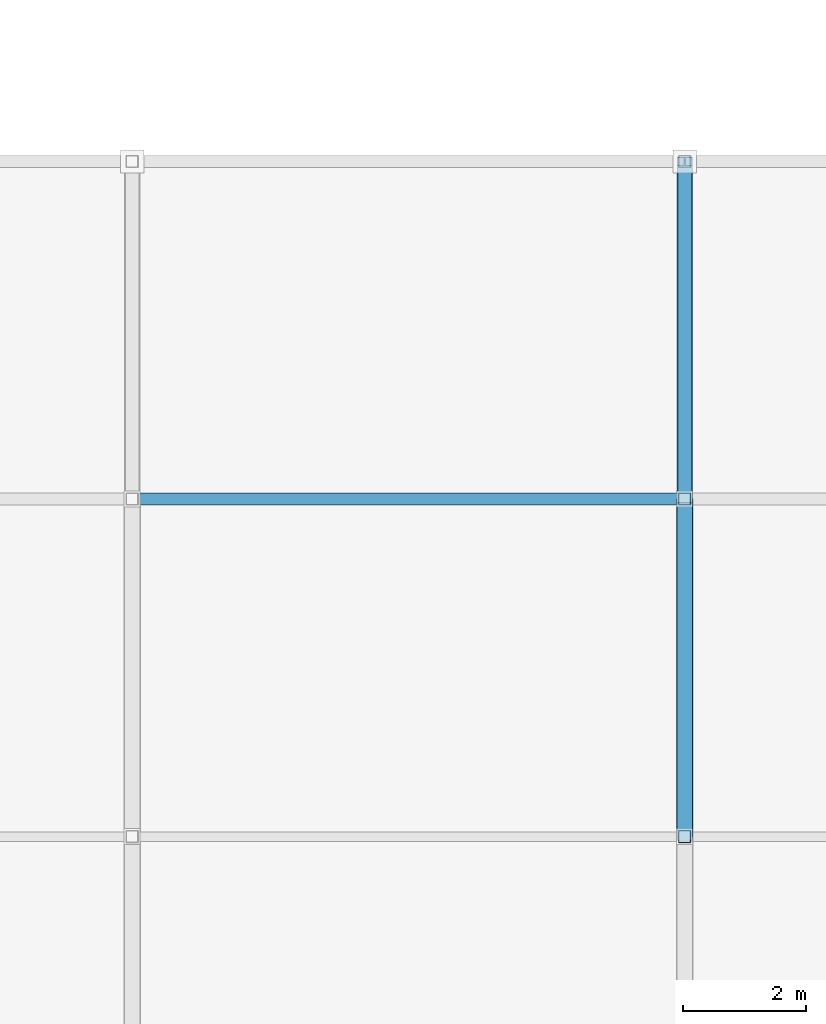
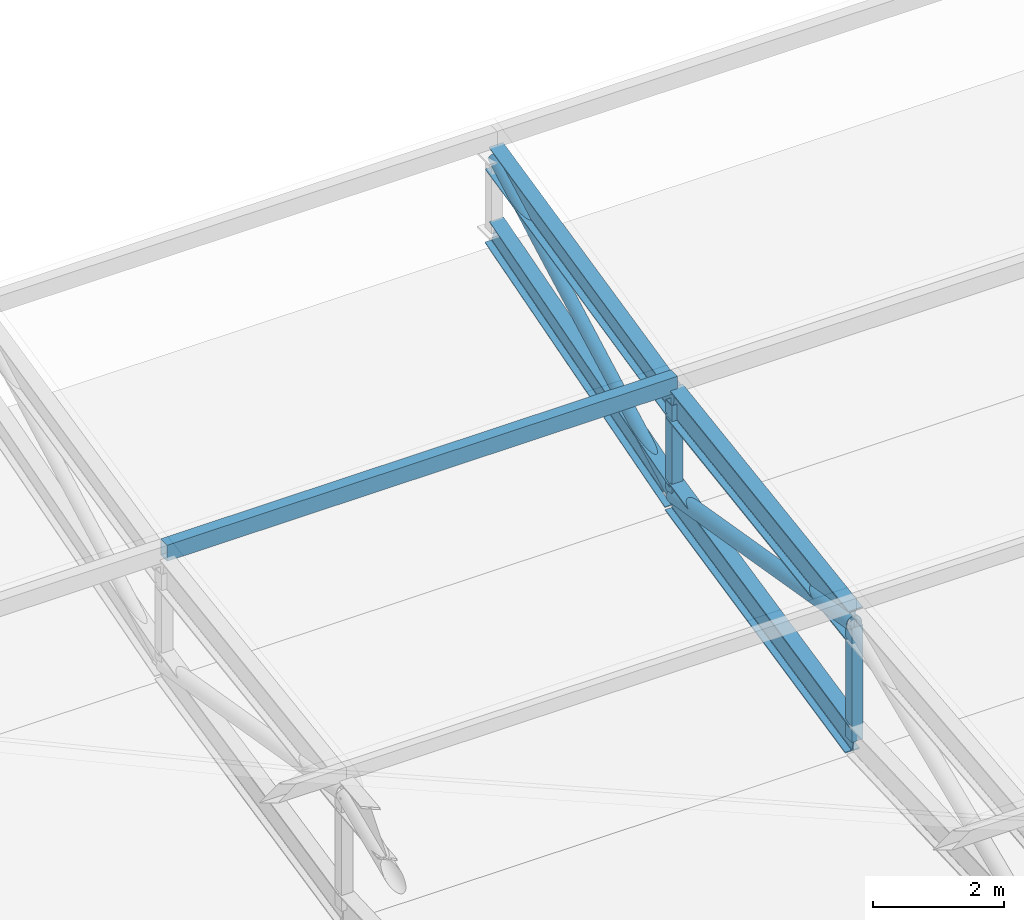
# One storey, part 42 of 114: 5 members, 4 beams.
"""IFC4 building model written with IfcOpenShell, lengths in metres."""

import ifcopenshell
import ifcopenshell.guid

model = None  # the IFC model being written
_history = None  # IfcOwnerHistory: only IFC2X3 demands one
_inside = {}  # id of a spatial element -> (the spatial element, [elements in it])
_under = {}  # id of a project, library or spatial element -> (it, [spatial elements below it])
_declared = {}  # id of a project -> (the project, [libraries it declares])
_typed = {}  # id of a type object -> (the type object, [elements of that type])
_made_of = {}  # id of a material, layer set ... -> (it, [elements and type objects made of it])


def new_model(schema):
    """Start an empty IFC model of exactly this schema.

    Asked for "IFC4X3", IfcOpenShell would pick the latest addendum, in which some entities
    have other attributes; the version numbers below select the first issue.
    IFC2X3 requires an IfcOwnerHistory on every rooted entity: one is made here for all.
    """
    global model, _history
    if schema == "IFC4X3":
        model = ifcopenshell.file(schema_version=(4, 3, 0, 0))
    else:
        model = ifcopenshell.file(schema=schema)
    _inside.clear()
    _under.clear()
    _declared.clear()
    _typed.clear()
    _made_of.clear()
    _history = None
    if model.schema == "IFC2X3":
        org = make("IfcOrganization", Name="unknown")
        user = make(
            "IfcPersonAndOrganization",
            ThePerson=make("IfcPerson", FamilyName="unknown"),
            TheOrganization=org,
        )
        app = make(
            "IfcApplication",
            ApplicationDeveloper=org,
            Version="unknown",
            ApplicationFullName="unknown",
            ApplicationIdentifier="unknown",
        )
        _history = make(
            "IfcOwnerHistory",
            OwningUser=user,
            OwningApplication=app,
            ChangeAction="ADDED",
            CreationDate=0,
        )
    return model


def make(cls, **values):
    """One entity of the class cls with the attributes given. An attribute that is None is left unset."""
    return model.create_entity(
        cls, **{name: value for name, value in values.items() if value is not None}
    )


def rooted(cls, **values):
    """An entity with a GlobalId (a new one), such as an element, a storey or a relation."""
    return make(cls, GlobalId=ifcopenshell.guid.new(), OwnerHistory=_history, **values)


def si_unit(unit_type, name, prefix=None):
    """IfcSIUnit, for example si_unit("LENGTHUNIT", "METRE", prefix="MILLI")."""
    return make("IfcSIUnit", UnitType=unit_type, Prefix=prefix, Name=name)


def assignment(units):
    """IfcUnitAssignment: the units of a project."""
    return None if units is None else make("IfcUnitAssignment", Units=units)


def point(xyz):
    """IfcCartesianPoint."""
    return None if xyz is None else make("IfcCartesianPoint", Coordinates=xyz)


def direction(xyz):
    """IfcDirection."""
    return None if xyz is None else make("IfcDirection", DirectionRatios=xyz)


def frame(location, z_axis=None, x_axis=None):
    """IfcAxis2Placement3D, a coordinate frame: its origin and axes. An axis left out is left unset."""
    return make(
        "IfcAxis2Placement3D",
        Location=point(location),
        Axis=direction(z_axis),
        RefDirection=direction(x_axis),
    )


def frame_2d(location, x_axis=None):
    """IfcAxis2Placement2D, a coordinate frame in the plane: its origin and x axis."""
    return make(
        "IfcAxis2Placement2D", Location=point(location), RefDirection=direction(x_axis)
    )


def origin():
    """The frame at (0, 0, 0) with its axes left unset."""
    return frame((0.0, 0.0, 0.0))


def origin_2d():
    """The frame at (0, 0) in the plane with its x axis left unset."""
    return frame_2d((0.0, 0.0))


def place(relative_to, where):
    """IfcLocalPlacement: puts the frame where relative to a parent placement (None: the world)."""
    return make(
        "IfcLocalPlacement", PlacementRelTo=relative_to, RelativePlacement=where
    )


def context(
    kind, dimensions, precision=None, world=None, true_north=None, identifier=None
):
    """IfcGeometricRepresentationContext, for example the 3D "Model" context."""
    return make(
        "IfcGeometricRepresentationContext",
        ContextIdentifier=identifier,
        ContextType=kind,
        CoordinateSpaceDimension=dimensions,
        Precision=precision,
        WorldCoordinateSystem=world,
        TrueNorth=true_north,
    )


def subcontext(parent, identifier, kind, view, scale=None):
    """IfcGeometricRepresentationSubContext, for example "Body" below "Model"."""
    return make(
        "IfcGeometricRepresentationSubContext",
        ContextIdentifier=identifier,
        ContextType=kind,
        ParentContext=parent,
        TargetScale=scale,
        TargetView=view,
    )


def project(units=None, contexts=None):
    """IfcProject with its units and contexts."""
    return rooted(
        "IfcProject",
        Name="project",
        RepresentationContexts=contexts,
        UnitsInContext=assignment(units),
    )


def spatial(cls, under=None, at=None, **own):
    """A site, building, storey or space (cls), placed at a placement, below another one or the project."""
    s = rooted(cls, ObjectPlacement=at, **own)
    if under is not None:
        _under.setdefault(under.id(), (under, []))[1].append(s)
    return s


def profile(cls, at=None, kind="AREA", **sizes):
    """A parametric profile (cls). Its sizes go by their IFC names, for example OverallWidth=200.0."""
    return make(cls, ProfileType=kind, Position=at, **sizes)


def hollow_rectangle(**sizes):
    """IfcRectangleHollowProfileDef."""
    return profile("IfcRectangleHollowProfileDef", **sizes)


def hollow_circle(**sizes):
    """IfcCircleHollowProfileDef."""
    return profile("IfcCircleHollowProfileDef", **sizes)


def i_section(**sizes):
    """IfcIShapeProfileDef."""
    return profile("IfcIShapeProfileDef", **sizes)


def extrude(swept, where, along, depth):
    """IfcExtrudedAreaSolid: the profile swept, set in the frame where, extruded along a direction by depth."""
    return make(
        "IfcExtrudedAreaSolid",
        SweptArea=swept,
        Position=where,
        ExtrudedDirection=direction(along),
        Depth=depth,
    )


def shape(context_of_items, identifier, shape_type, items):
    """IfcShapeRepresentation: the items that make up one representation, for example the "Body"."""
    return make(
        "IfcShapeRepresentation",
        ContextOfItems=context_of_items,
        RepresentationIdentifier=identifier,
        RepresentationType=shape_type,
        Items=items,
    )


def material(Name=None, Category=None):
    """IfcMaterial."""
    return make("IfcMaterial", Name=Name, Category=Category)


def material_profile(
    of_material, cross_section, Name=None, Category=None, Priority=None
):
    """IfcMaterialProfile: a cross section and its material."""
    return make(
        "IfcMaterialProfile",
        Name=Name,
        Material=of_material,
        Profile=cross_section,
        Priority=Priority,
        Category=Category,
    )


def profile_set(profiles, Name=None, composite=None):
    """IfcMaterialProfileSet."""
    return make(
        "IfcMaterialProfileSet",
        Name=Name,
        MaterialProfiles=profiles,
        CompositeProfile=composite,
    )


def made_of(thing, what):
    """Note that an element or type object is made of a material, layer set ...; save() writes the relation."""
    if what is not None:
        _made_of.setdefault(what.id(), (what, []))[1].append(thing)
    return thing


def type_object(cls, material=None, **own):
    """A type object (cls), such as IfcWallType, which elements share."""
    return made_of(rooted(cls, **own), material)


def element(
    cls,
    number,
    at=None,
    inside=None,
    cuts=None,
    type_object=None,
    material=None,
    context=None,
    identifier="Body",
    shape_type=None,
    held_by="IfcProductDefinitionShape",
    body=None,
    shapes=None,
    **own,
):
    """One element of the class cls, such as IfcWall. Its Tag is "e" and its number.

    at: its placement. inside: the storey or other place that contains it. cuts: it is an
    opening in that element (IfcRelVoidsElement). A single representation is given by context,
    identifier, shape_type and body (its items); several are given by shapes. held_by: the class
    of the entity that holds the representations. save() writes the other relations.
    """
    e = rooted(cls, Tag="e%d" % number, ObjectPlacement=at, **own)
    if body is not None:
        shapes = [shape(context, identifier, shape_type, body)]
    if shapes is not None:
        e.Representation = make(held_by, Representations=shapes)
    if inside is not None:
        _inside.setdefault(inside.id(), (inside, []))[1].append(e)
    if cuts is not None:
        rooted(
            "IfcRelVoidsElement", RelatingBuildingElement=cuts, RelatedOpeningElement=e
        )
    if type_object is not None:
        _typed.setdefault(type_object.id(), (type_object, []))[1].append(e)
    return made_of(e, material)


def aggregate(whole, parts):
    """IfcRelAggregates: a whole, such as a stair, and the parts it consists of."""
    return rooted("IfcRelAggregates", RelatingObject=whole, RelatedObjects=parts)


def save(model, path):
    """Write the relations noted so far, then the file.

    IfcRelAggregates (storeys below a building ...), IfcRelContainedInSpatialStructure (elements
    in a storey), IfcRelDefinesByType, IfcRelAssociatesMaterial and IfcRelDeclares: one each for
    every whole, place, type object, material and project.
    """
    for whole, parts in _under.values():
        aggregate(whole, parts)
    for where, things in _inside.values():
        rooted(
            "IfcRelContainedInSpatialStructure",
            RelatedElements=things,
            RelatingStructure=where,
        )
    for kind, things in _typed.values():
        rooted("IfcRelDefinesByType", RelatedObjects=things, RelatingType=kind)
    for what, things in _made_of.values():
        rooted("IfcRelAssociatesMaterial", RelatedObjects=things, RelatingMaterial=what)
    for by, libraries in _declared.values():
        rooted("IfcRelDeclares", RelatingContext=by, RelatedDefinitions=libraries)
    model.write(path)


model = new_model("IFC4")

# Units and contexts
model_context = context("Model", 3, precision=1e-05, world=origin(), true_north=direction((0.0, 1.0)))
body_context = subcontext(model_context, "Body", "Model", "MODEL_VIEW")
ifc_project = project(units=[si_unit("LENGTHUNIT", "METRE"), si_unit("AREAUNIT", "SQUARE_METRE"), si_unit("VOLUMEUNIT", "CUBIC_METRE"), si_unit("PLANEANGLEUNIT", "RADIAN"), si_unit("MASSUNIT", "GRAM", prefix="KILO"), si_unit("THERMODYNAMICTEMPERATUREUNIT", "KELVIN"), si_unit("POWERUNIT", "WATT")], contexts=[model_context])

# Site, building, storey
site_placement = place(None, origin())
site = spatial("IfcSite", under=ifc_project, at=site_placement, CompositionType="ELEMENT")
building_placement = place(site_placement, origin())
building = spatial("IfcBuilding", under=site, at=building_placement, Name="Sindhuravela Promenade Stadium", CompositionType="ELEMENT")
storey_placement = place(building_placement, frame((0.0, 0.0, 24.0)))
storey = spatial("IfcBuildingStorey", under=building, at=storey_placement, Name="L05", CompositionType="ELEMENT", Elevation=24.0)

# Beams
ifc_material = material(Name="Steel E350 (IS 2062 E350BR)", Category="steel")
ifc_material_profile_1 = material_profile(ifc_material, i_section(OverallWidth=0.25, OverallDepth=0.5, WebThickness=0.010009765625, FlangeThickness=0.0146484375, FilletRadius=0.014892578125, at=origin_2d()), Name="ISWB 500")
ifc_profile_set_1 = profile_set([ifc_material_profile_1], Name="Steel E350 (IS 2062 E350BR)")
beam_type_1 = type_object("IfcBeamType", Name="ST-BM-WB500", PredefinedType="USERDEFINED", material=ifc_profile_set_1)
beam_1_placement = place(storey_placement, frame((135.0, 38.0, 3.169189453125), z_axis=(0.0, 0.9758669805330386, 0.2183658313595103), x_axis=(-1.0, 0.0, 0.0)))
element("IfcBeam", 1, at=beam_1_placement, inside=storey, type_object=beam_type_1, Name="Roof truss RT-S07 top chord 5", ObjectType="ROOF TRUSS", PredefinedType="USERDEFINED", context=body_context, shape_type="SweptSolid", body=[
    extrude(i_section(OverallWidth=0.25, OverallDepth=0.5, WebThickness=0.010009765625, FlangeThickness=0.0146484375, FilletRadius=0.014892578125, at=origin_2d()), origin(), (0.0, 0.0, 1.0), 5.635986328125),
])
beam_2_placement = place(storey_placement, frame((135.0, 38.0, 1.419189453125), z_axis=(0.0, 0.9599274278129861, 0.28024869907342015), x_axis=(-1.0, 0.0, 0.0)))
element("IfcBeam", 2, at=beam_2_placement, inside=storey, type_object=beam_type_1, Name="Roof truss RT-S07 bottom chord 5", ObjectType="ROOF TRUSS", PredefinedType="USERDEFINED", context=body_context, shape_type="SweptSolid", body=[
    extrude(i_section(OverallWidth=0.25, OverallDepth=0.5, WebThickness=0.010009765625, FlangeThickness=0.0146484375, FilletRadius=0.014892578125, at=origin_2d()), origin(), (0.0, 0.0, 1.0), 5.7294921875),
])
ifc_material_profile_2 = material_profile(ifc_material, i_section(OverallWidth=0.25, OverallDepth=0.60009765625, WebThickness=0.01171875, FlangeThickness=0.023681640625, FilletRadius=0.01708984375, at=origin_2d()), Name="ISWB 600")
ifc_profile_set_2 = profile_set([ifc_material_profile_2], Name="Steel E350 (IS 2062 E350BR)")
beam_type_2 = type_object("IfcBeamType", Name="ST-BM-WB600", PredefinedType="USERDEFINED", material=ifc_profile_set_2)
beam_3_placement = place(storey_placement, frame((135.0, 32.5, 2.3525390625), z_axis=(0.0, 0.9891555530237203, 0.14687168523012892), x_axis=(-1.0, 0.0, 0.0)))
element("IfcBeam", 3, at=beam_3_placement, inside=storey, type_object=beam_type_2, Name="Roof truss RT-S07 top chord 4", ObjectType="ROOF TRUSS", PredefinedType="USERDEFINED", context=body_context, shape_type="SweptSolid", body=[
    extrude(i_section(OverallWidth=0.25, OverallDepth=0.60009765625, WebThickness=0.01171875, FlangeThickness=0.023681640625, FilletRadius=0.01708984375, at=origin_2d()), origin(), (0.0, 0.0, 1.0), 5.560302734375),
])
beam_4_placement = place(storey_placement, frame((135.0, 32.5, 0.2275390625), z_axis=(0.0, 0.9773237385626684, 0.21175058451368894), x_axis=(-1.0, 0.0, 0.0)))
element("IfcBeam", 4, at=beam_4_placement, inside=storey, type_object=beam_type_2, Name="Roof truss RT-S07 bottom chord 4", ObjectType="ROOF TRUSS", PredefinedType="USERDEFINED", context=body_context, shape_type="SweptSolid", body=[
    extrude(i_section(OverallWidth=0.25, OverallDepth=0.60009765625, WebThickness=0.01171875, FlangeThickness=0.023681640625, FilletRadius=0.01708984375, at=origin_2d()), origin(), (0.0, 0.0, 1.0), 5.627685546875),
])

# Members
ifc_material_profile_3 = material_profile(ifc_material, hollow_circle(Radius=0.109619140625, WallThickness=0.010009765625, at=origin_2d()), Name="CHS 219.1x10")
ifc_profile_set_3 = profile_set([ifc_material_profile_3], Name="Steel E350 (IS 2062 E350BR)")
member_type_1 = type_object("IfcMemberType", Name="ST-MB-CHS219", PredefinedType="BRACE", material=ifc_profile_set_3)
member_1_placement = place(storey_placement, frame((135.0, 38.0, 1.419189453125), z_axis=(0.0, 0.8791884339384995, 0.47647423605979855), x_axis=(-1.0, 0.0, 0.0)))
element("IfcMember", 5, at=member_1_placement, inside=storey, type_object=member_type_1, Name="Roof truss RT-S07 diagonal web 5", PredefinedType="BRACE", context=body_context, shape_type="SweptSolid", body=[
    extrude(hollow_circle(Radius=0.109619140625, WallThickness=0.010009765625, at=origin_2d()), origin(), (0.0, 0.0, 1.0), 6.255859375),
])
ifc_material_profile_4 = material_profile(ifc_material, hollow_circle(Radius=0.136474609375, WallThickness=0.010009765625, at=origin_2d()), Name="CHS 273.0x10")
ifc_profile_set_4 = profile_set([ifc_material_profile_4], Name="Steel E350 (IS 2062 E350BR)")
member_type_2 = type_object("IfcMemberType", Name="ST-MB-CHS273", PredefinedType="BRACE", material=ifc_profile_set_4)
member_2_placement = place(storey_placement, frame((135.0, 32.5, 2.3525390625), z_axis=(0.0, 0.9859046851385784, -0.1673079550463772), x_axis=(-1.0, 0.0, 0.0)))
element("IfcMember", 6, at=member_2_placement, inside=storey, type_object=member_type_2, Name="Roof truss RT-S07 diagonal web 4", PredefinedType="BRACE", context=body_context, shape_type="SweptSolid", body=[
    extrude(hollow_circle(Radius=0.136474609375, WallThickness=0.010009765625, at=origin_2d()), origin(), (0.0, 0.0, 1.0), 5.57861328125),
])
ifc_material_profile_5 = material_profile(ifc_material, hollow_rectangle(XDim=0.199951171875, YDim=0.300048828125, WallThickness=0.010009765625, at=origin_2d()), Name="RHS 300x200x10")
ifc_profile_set_5 = profile_set([ifc_material_profile_5], Name="Steel E350 (IS 2062 E350BR)")
member_type_3 = type_object("IfcMemberType", Name="ST-MB-RHS300", PredefinedType="PURLIN", material=ifc_profile_set_5)
member_3_placement = place(storey_placement, frame((126.0, 38.0, 3.5361328125), z_axis=(1.0, 0.0, 0.0), x_axis=(0.0, 1.0, 0.0)))
element("IfcMember", 7, at=member_3_placement, inside=storey, type_object=member_type_3, Name="Roof purlin PR02 S bay 6.5", PredefinedType="PURLIN", context=body_context, shape_type="SweptSolid", body=[
    extrude(hollow_rectangle(XDim=0.199951171875, YDim=0.300048828125, WallThickness=0.010009765625, at=origin_2d()), origin(), (0.0, 0.0, 1.0), 9.0),
])
ifc_material_profile_6 = material_profile(ifc_material, hollow_rectangle(XDim=0.199951171875, YDim=0.199951171875, WallThickness=0.010009765625, at=origin_2d()), Name="SHS 200x200x10")
ifc_profile_set_6 = profile_set([ifc_material_profile_6], Name="Steel E350 (IS 2062 E350BR)")
member_type_4 = type_object("IfcMemberType", Name="ST-MB-SHS200", PredefinedType="POST", material=ifc_profile_set_6)
member_4_placement = place(storey_placement, frame((135.0, 32.5, 0.2275390625), z_axis=(0.0, 0.0, 1.0), x_axis=(1.0, 0.0, 0.0)))
element("IfcMember", 8, at=member_4_placement, inside=storey, type_object=member_type_4, Name="Roof truss RT-S07 vertical post 4", PredefinedType="POST", context=body_context, shape_type="SweptSolid", body=[
    extrude(hollow_rectangle(XDim=0.199951171875, YDim=0.199951171875, WallThickness=0.010009765625, at=origin_2d()), origin(), (0.0, 0.0, 1.0), 2.125),
])
member_5_placement = place(storey_placement, frame((135.0, 38.0, 1.419189453125), z_axis=(0.0, 0.0, 1.0), x_axis=(1.0, 0.0, 0.0)))
element("IfcMember", 9, at=member_5_placement, inside=storey, type_object=member_type_4, Name="Roof truss RT-S07 vertical post 5", PredefinedType="POST", context=body_context, shape_type="SweptSolid", body=[
    extrude(hollow_rectangle(XDim=0.199951171875, YDim=0.199951171875, WallThickness=0.010009765625, at=origin_2d()), origin(), (0.0, 0.0, 1.0), 1.75),
])

save(model, "model.ifc")
